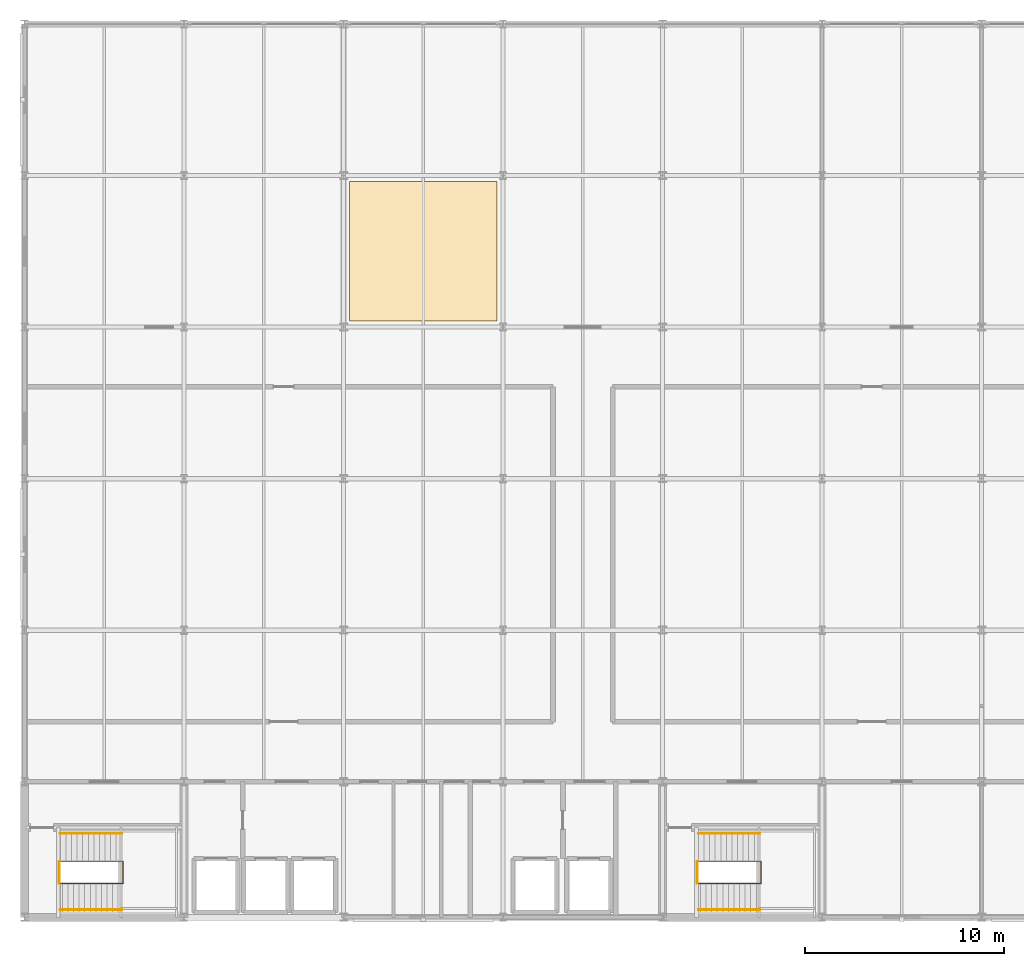
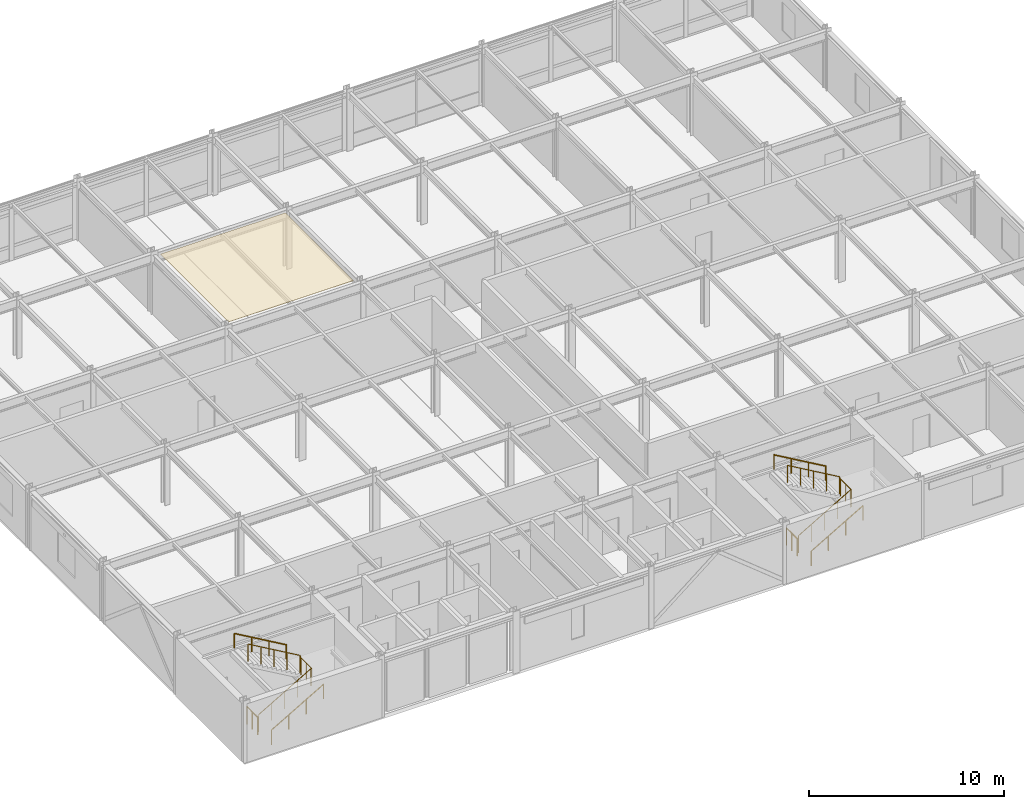
# One storey, part 14 of 14: 8 railings, 1 covering.
"""IFC4 building model written with IfcOpenShell, lengths in metres."""

from ifc_helpers import new_model, si_unit, direction, frame, origin, origin_2d, place, context, subcontext, project, spatial, polyline, circle, outline, extrude, material, layer, layer_set, type_object, element, save


model = new_model("IFC4")

# Units and contexts
model_context = context("Model", 3, precision=1e-05, world=origin(), true_north=direction((0.0, 1.0)))
body_context = subcontext(model_context, "Body", "Model", "MODEL_VIEW")
ifc_project = project(units=[si_unit("LENGTHUNIT", "METRE"), si_unit("AREAUNIT", "SQUARE_METRE"), si_unit("VOLUMEUNIT", "CUBIC_METRE"), si_unit("PLANEANGLEUNIT", "RADIAN"), si_unit("MASSUNIT", "GRAM", prefix="KILO")], contexts=[model_context])

# Site, building, storey
site_placement = place(None, origin())
site = spatial("IfcSite", under=ifc_project, at=site_placement, CompositionType="ELEMENT")
building_placement = place(site_placement, origin())
building = spatial("IfcBuilding", under=site, at=building_placement, Name="Shalkamar Park Central Library", CompositionType="ELEMENT")
storey_placement = place(building_placement, frame((0.0, 0.0, 32.10009765625)))
storey = spatial("IfcBuildingStorey", under=building, at=storey_placement, Name="L08", CompositionType="ELEMENT", Elevation=32.10009765625)

# Covering
ifc_material_1 = material(Name="Acoustic mineral fibre ceiling panel", Category="other")
ifc_layer = layer(ifc_material_1, 0.02490234375)
ifc_layer_set = layer_set([ifc_layer], Name="AcousticMineralCeilingTile")
covering_type = type_object("IfcCoveringType", Name="Acoustic Mineral Ceiling Tile", PredefinedType="CEILING", material=ifc_layer_set)
covering_placement = place(storey_placement, frame((0.0, 0.0, 3.65478515625)))
element("IfcCovering", 1, at=covering_placement, inside=storey, type_object=covering_type, Name="Acoustic Reading Ceiling Panel L08", PredefinedType="CEILING", context=body_context, shape_type="SweptSolid", body=[
    extrude(outline(polyline([(181.300048828125, 278.300048828125), (188.699951171875, 278.300048828125), (188.699951171875, 285.300048828125), (181.300048828125, 285.300048828125), (181.300048828125, 278.300048828125)])), origin(), (0.0, 0.0, 1.0), 0.025146484375),
])

# Railings
ifc_material_2 = material(Name="Steel S355", Category="steel")
railing_type_1 = type_object("IfcRailingType", Name="Stair Guardrail 1100", PredefinedType="GUARDRAIL", material=ifc_material_2)
railing_1_placement = place(storey_placement, frame((166.800048828125, 250.090087890625, 0.162353515625)))
element("IfcRailing", 2, at=railing_1_placement, inside=storey, type_object=railing_type_1, Name="Stair Inner Well Guardrail ST-T1-L08", PredefinedType="GUARDRAIL", context=body_context, shape_type="SweptSolid", body=[
    extrude(circle(Radius=0.02392578125, at=origin_2d()), frame((0.0, 0.0, 1.076171875), z_axis=(0.864873446163, 0.0, 0.501989962173), x_axis=(0.0, 1.0, 0.0)), (0.0, 0.0, 1.0), 3.56103515625),
    extrude(circle(Radius=0.02392578125, at=origin_2d()), frame((3.079833984375, 0.0, 2.86376953125), z_axis=(1.0, 0.0, 0.0), x_axis=(0.0, 1.0, 0.0)), (0.0, 0.0, 1.0), 0.06005859375),
    extrude(circle(Radius=0.02392578125, at=origin_2d()), frame((3.139892578125, 0.0, 2.86376953125), z_axis=(0.0, 1.0, 0.0), x_axis=(-1.0, 0.0, 0.0)), (0.0, 0.0, 1.0), 1.119873046875),
    extrude(circle(Radius=0.02392578125, at=origin_2d()), frame((3.139892578125, 1.119873046875, 2.86376953125), z_axis=(-0.346946854775, 0.0, 0.937884790346), x_axis=(0.0, -1.0, 0.0)), (0.0, 0.0, 1.0), 0.173095703125),
    extrude(circle(Radius=0.02392578125, at=origin_2d()), frame((3.079833984375, 1.119873046875, 3.02587890625), z_axis=(-0.864873446163, 0.0, 0.501989962173), x_axis=(0.0, -1.0, 0.0)), (0.0, 0.0, 1.0), 3.56103515625),
    extrude(circle(Radius=0.02099609375, at=origin_2d()), origin(), (0.0, 0.0, 1.0), 1.052001953125),
    extrude(circle(Radius=0.02099609375, at=origin_2d()), frame((0.77001953125, 0.0, 0.44677734375)), (0.0, 0.0, 1.0), 1.052001953125),
    extrude(circle(Radius=0.02099609375, at=origin_2d()), frame((1.5400390625, 0.0, 0.893798828125)), (0.0, 0.0, 1.0), 1.052001953125),
    extrude(circle(Radius=0.02099609375, at=origin_2d()), frame((2.309814453125, 0.0, 1.3408203125)), (0.0, 0.0, 1.0), 1.052001953125),
    extrude(circle(Radius=0.02099609375, at=origin_2d()), frame((3.079833984375, 0.0, 1.78759765625)), (0.0, 0.0, 1.0), 1.052001953125),
    extrude(circle(Radius=0.02099609375, at=origin_2d()), frame((3.139892578125, 0.0, 1.78759765625)), (0.0, 0.0, 1.0), 1.052001953125),
    extrude(circle(Radius=0.02099609375, at=origin_2d()), frame((3.139892578125, 0.56005859375, 1.78759765625)), (0.0, 0.0, 1.0), 1.052001953125),
    extrude(circle(Radius=0.02099609375, at=origin_2d()), frame((3.139892578125, 1.119873046875, 1.78759765625)), (0.0, 0.0, 1.0), 1.052001953125),
    extrude(circle(Radius=0.02099609375, at=origin_2d()), frame((3.079833984375, 1.119873046875, 1.949951171875)), (0.0, 0.0, 1.0), 1.052001953125),
    extrude(circle(Radius=0.02099609375, at=origin_2d()), frame((2.309814453125, 1.119873046875, 2.39697265625)), (0.0, 0.0, 1.0), 1.052001953125),
    extrude(circle(Radius=0.02099609375, at=origin_2d()), frame((1.5400390625, 1.119873046875, 2.84375)), (0.0, 0.0, 1.0), 1.052001953125),
    extrude(circle(Radius=0.02099609375, at=origin_2d()), frame((0.77001953125, 1.119873046875, 3.29052734375)), (0.0, 0.0, 1.0), 1.052001953125),
    extrude(circle(Radius=0.02099609375, at=origin_2d()), frame((0.0, 1.119873046875, 3.737548828125)), (0.0, 0.0, 1.0), 1.052001953125),
])
railing_2_placement = place(storey_placement, frame((166.739990234375, 250.10009765625, 0.0)))
element("IfcRailing", 3, at=railing_2_placement, inside=storey, type_object=railing_type_1, Name="Stair Arrival Well Guardrail ST-T1 (L08)", PredefinedType="GUARDRAIL", context=body_context, shape_type="SweptSolid", body=[
    extrude(circle(Radius=0.02392578125, at=origin_2d()), frame((0.0, 0.0, 1.076171875), z_axis=(0.0, 1.0, 0.0), x_axis=(-1.0, 0.0, 0.0)), (0.0, 0.0, 1.0), 1.099853515625),
    extrude(circle(Radius=0.02099609375, at=origin_2d()), origin(), (0.0, 0.0, 1.0), 1.052001953125),
    extrude(circle(Radius=0.02099609375, at=origin_2d()), frame((0.0, 0.5498046875, 0.0)), (0.0, 0.0, 1.0), 1.052001953125),
    extrude(circle(Radius=0.02099609375, at=origin_2d()), frame((0.0, 1.099853515625, 0.0)), (0.0, 0.0, 1.0), 1.052001953125),
])
railing_3_placement = place(storey_placement, frame((198.800048828125, 250.090087890625, 0.162353515625)))
element("IfcRailing", 4, at=railing_3_placement, inside=storey, type_object=railing_type_1, Name="Stair Inner Well Guardrail ST-T2-L08", PredefinedType="GUARDRAIL", context=body_context, shape_type="SweptSolid", body=[
    extrude(circle(Radius=0.02392578125, at=origin_2d()), frame((0.0, 0.0, 1.076171875), z_axis=(0.864873446163, 0.0, 0.501989962173), x_axis=(0.0, 1.0, 0.0)), (0.0, 0.0, 1.0), 3.56103515625),
    extrude(circle(Radius=0.02392578125, at=origin_2d()), frame((3.079833984375, 0.0, 2.86376953125), z_axis=(1.0, 0.0, 0.0), x_axis=(0.0, 1.0, 0.0)), (0.0, 0.0, 1.0), 0.06005859375),
    extrude(circle(Radius=0.02392578125, at=origin_2d()), frame((3.139892578125, 0.0, 2.86376953125), z_axis=(0.0, 1.0, 0.0), x_axis=(-1.0, 0.0, 0.0)), (0.0, 0.0, 1.0), 1.119873046875),
    extrude(circle(Radius=0.02392578125, at=origin_2d()), frame((3.139892578125, 1.119873046875, 2.86376953125), z_axis=(-0.346946854775, 0.0, 0.937884790346), x_axis=(0.0, -1.0, 0.0)), (0.0, 0.0, 1.0), 0.173095703125),
    extrude(circle(Radius=0.02392578125, at=origin_2d()), frame((3.079833984375, 1.119873046875, 3.02587890625), z_axis=(-0.864873446163, 0.0, 0.501989962173), x_axis=(0.0, -1.0, 0.0)), (0.0, 0.0, 1.0), 3.56103515625),
    extrude(circle(Radius=0.02099609375, at=origin_2d()), origin(), (0.0, 0.0, 1.0), 1.052001953125),
    extrude(circle(Radius=0.02099609375, at=origin_2d()), frame((0.77001953125, 0.0, 0.44677734375)), (0.0, 0.0, 1.0), 1.052001953125),
    extrude(circle(Radius=0.02099609375, at=origin_2d()), frame((1.5400390625, 0.0, 0.893798828125)), (0.0, 0.0, 1.0), 1.052001953125),
    extrude(circle(Radius=0.02099609375, at=origin_2d()), frame((2.309814453125, 0.0, 1.3408203125)), (0.0, 0.0, 1.0), 1.052001953125),
    extrude(circle(Radius=0.02099609375, at=origin_2d()), frame((3.079833984375, 0.0, 1.78759765625)), (0.0, 0.0, 1.0), 1.052001953125),
    extrude(circle(Radius=0.02099609375, at=origin_2d()), frame((3.139892578125, 0.0, 1.78759765625)), (0.0, 0.0, 1.0), 1.052001953125),
    extrude(circle(Radius=0.02099609375, at=origin_2d()), frame((3.139892578125, 0.56005859375, 1.78759765625)), (0.0, 0.0, 1.0), 1.052001953125),
    extrude(circle(Radius=0.02099609375, at=origin_2d()), frame((3.139892578125, 1.119873046875, 1.78759765625)), (0.0, 0.0, 1.0), 1.052001953125),
    extrude(circle(Radius=0.02099609375, at=origin_2d()), frame((3.079833984375, 1.119873046875, 1.949951171875)), (0.0, 0.0, 1.0), 1.052001953125),
    extrude(circle(Radius=0.02099609375, at=origin_2d()), frame((2.309814453125, 1.119873046875, 2.39697265625)), (0.0, 0.0, 1.0), 1.052001953125),
    extrude(circle(Radius=0.02099609375, at=origin_2d()), frame((1.5400390625, 1.119873046875, 2.84375)), (0.0, 0.0, 1.0), 1.052001953125),
    extrude(circle(Radius=0.02099609375, at=origin_2d()), frame((0.77001953125, 1.119873046875, 3.29052734375)), (0.0, 0.0, 1.0), 1.052001953125),
    extrude(circle(Radius=0.02099609375, at=origin_2d()), frame((0.0, 1.119873046875, 3.737548828125)), (0.0, 0.0, 1.0), 1.052001953125),
])
railing_4_placement = place(storey_placement, frame((198.739990234375, 250.10009765625, 0.0)))
element("IfcRailing", 5, at=railing_4_placement, inside=storey, type_object=railing_type_1, Name="Stair Arrival Well Guardrail ST-T2 (L08)", PredefinedType="GUARDRAIL", context=body_context, shape_type="SweptSolid", body=[
    extrude(circle(Radius=0.02392578125, at=origin_2d()), frame((0.0, 0.0, 1.076171875), z_axis=(0.0, 1.0, 0.0), x_axis=(-1.0, 0.0, 0.0)), (0.0, 0.0, 1.0), 1.099853515625),
    extrude(circle(Radius=0.02099609375, at=origin_2d()), origin(), (0.0, 0.0, 1.0), 1.052001953125),
    extrude(circle(Radius=0.02099609375, at=origin_2d()), frame((0.0, 0.5498046875, 0.0)), (0.0, 0.0, 1.0), 1.052001953125),
    extrude(circle(Radius=0.02099609375, at=origin_2d()), frame((0.0, 1.099853515625, 0.0)), (0.0, 0.0, 1.0), 1.052001953125),
])
railing_type_2 = type_object("IfcRailingType", Name="Stair Pitched Handrail 920", PredefinedType="HANDRAIL", material=ifc_material_2)
railing_5_placement = place(storey_placement, frame((166.800048828125, 248.780029296875, 0.162353515625)))
element("IfcRailing", 6, at=railing_5_placement, inside=storey, type_object=railing_type_2, Name="Stair Wall Handrail ST-T1-L08 Flight 1", PredefinedType="HANDRAIL", context=body_context, shape_type="SweptSolid", body=[
    extrude(circle(Radius=0.02392578125, at=origin_2d()), frame((0.0, 0.0, 0.89599609375), z_axis=(0.864873446163, 0.0, 0.501989962173), x_axis=(0.0, 1.0, 0.0)), (0.0, 0.0, 1.0), 3.56103515625),
    extrude(circle(Radius=0.02099609375, at=origin_2d()), origin(), (0.0, 0.0, 1.0), 0.871826171875),
    extrude(circle(Radius=0.02099609375, at=origin_2d()), frame((1.026611328125, 0.0, 0.595947265625)), (0.0, 0.0, 1.0), 0.871826171875),
    extrude(circle(Radius=0.02099609375, at=origin_2d()), frame((2.05322265625, 0.0, 1.191650390625)), (0.0, 0.0, 1.0), 0.871826171875),
    extrude(circle(Radius=0.02099609375, at=origin_2d()), frame((3.079833984375, 0.0, 1.78759765625)), (0.0, 0.0, 1.0), 0.871826171875),
])
railing_6_placement = place(storey_placement, frame((169.8798828125, 252.60009765625, 2.1123046875)))
element("IfcRailing", 7, at=railing_6_placement, inside=storey, type_object=railing_type_2, Name="Stair Wall Handrail ST-T1-L08 Flight 2", PredefinedType="HANDRAIL", context=body_context, shape_type="SweptSolid", body=[
    extrude(circle(Radius=0.02392578125, at=origin_2d()), frame((0.0, 0.0, 0.89599609375), z_axis=(-0.864873446163, 0.0, 0.501989962173), x_axis=(0.0, -1.0, 0.0)), (0.0, 0.0, 1.0), 3.56103515625),
    extrude(circle(Radius=0.02099609375, at=origin_2d()), origin(), (0.0, 0.0, 1.0), 0.871826171875),
    extrude(circle(Radius=0.02099609375, at=origin_2d()), frame((-1.026611328125, 0.0, 0.595947265625)), (0.0, 0.0, 1.0), 0.871826171875),
    extrude(circle(Radius=0.02099609375, at=origin_2d()), frame((-2.05322265625, 0.0, 1.191650390625)), (0.0, 0.0, 1.0), 0.871826171875),
    extrude(circle(Radius=0.02099609375, at=origin_2d()), frame((-3.079833984375, 0.0, 1.78759765625)), (0.0, 0.0, 1.0), 0.871826171875),
])
railing_7_placement = place(storey_placement, frame((198.800048828125, 248.780029296875, 0.162353515625)))
element("IfcRailing", 8, at=railing_7_placement, inside=storey, type_object=railing_type_2, Name="Stair Wall Handrail ST-T2-L08 Flight 1", PredefinedType="HANDRAIL", context=body_context, shape_type="SweptSolid", body=[
    extrude(circle(Radius=0.02392578125, at=origin_2d()), frame((0.0, 0.0, 0.89599609375), z_axis=(0.864873446163, 0.0, 0.501989962173), x_axis=(0.0, 1.0, 0.0)), (0.0, 0.0, 1.0), 3.56103515625),
    extrude(circle(Radius=0.02099609375, at=origin_2d()), origin(), (0.0, 0.0, 1.0), 0.871826171875),
    extrude(circle(Radius=0.02099609375, at=origin_2d()), frame((1.026611328125, 0.0, 0.595947265625)), (0.0, 0.0, 1.0), 0.871826171875),
    extrude(circle(Radius=0.02099609375, at=origin_2d()), frame((2.05322265625, 0.0, 1.191650390625)), (0.0, 0.0, 1.0), 0.871826171875),
    extrude(circle(Radius=0.02099609375, at=origin_2d()), frame((3.079833984375, 0.0, 1.78759765625)), (0.0, 0.0, 1.0), 0.871826171875),
])
railing_8_placement = place(storey_placement, frame((201.8798828125, 252.60009765625, 2.1123046875)))
element("IfcRailing", 9, at=railing_8_placement, inside=storey, type_object=railing_type_2, Name="Stair Wall Handrail ST-T2-L08 Flight 2", PredefinedType="HANDRAIL", context=body_context, shape_type="SweptSolid", body=[
    extrude(circle(Radius=0.02392578125, at=origin_2d()), frame((0.0, 0.0, 0.89599609375), z_axis=(-0.864873446163, 0.0, 0.501989962173), x_axis=(0.0, -1.0, 0.0)), (0.0, 0.0, 1.0), 3.56103515625),
    extrude(circle(Radius=0.02099609375, at=origin_2d()), origin(), (0.0, 0.0, 1.0), 0.871826171875),
    extrude(circle(Radius=0.02099609375, at=origin_2d()), frame((-1.026611328125, 0.0, 0.595947265625)), (0.0, 0.0, 1.0), 0.871826171875),
    extrude(circle(Radius=0.02099609375, at=origin_2d()), frame((-2.05322265625, 0.0, 1.191650390625)), (0.0, 0.0, 1.0), 0.871826171875),
    extrude(circle(Radius=0.02099609375, at=origin_2d()), frame((-3.079833984375, 0.0, 1.78759765625)), (0.0, 0.0, 1.0), 0.871826171875),
])

save(model, "model.ifc")
